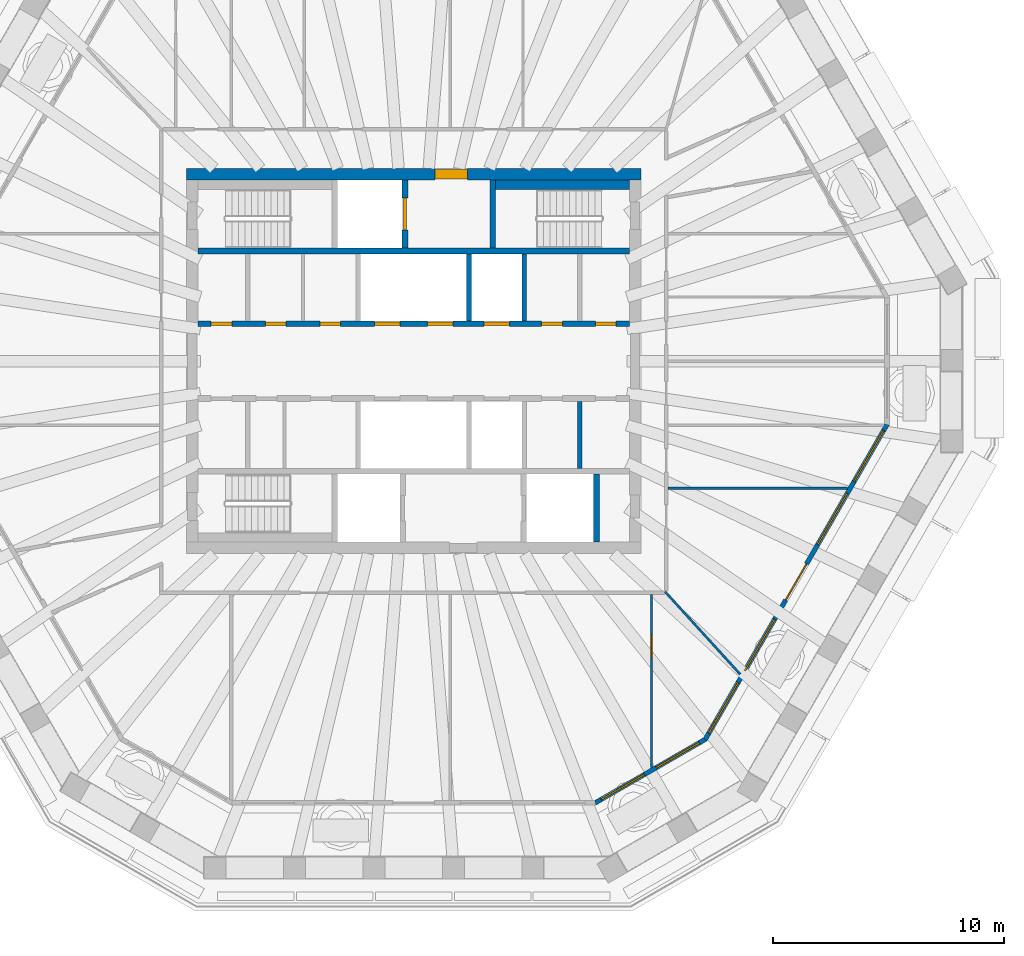
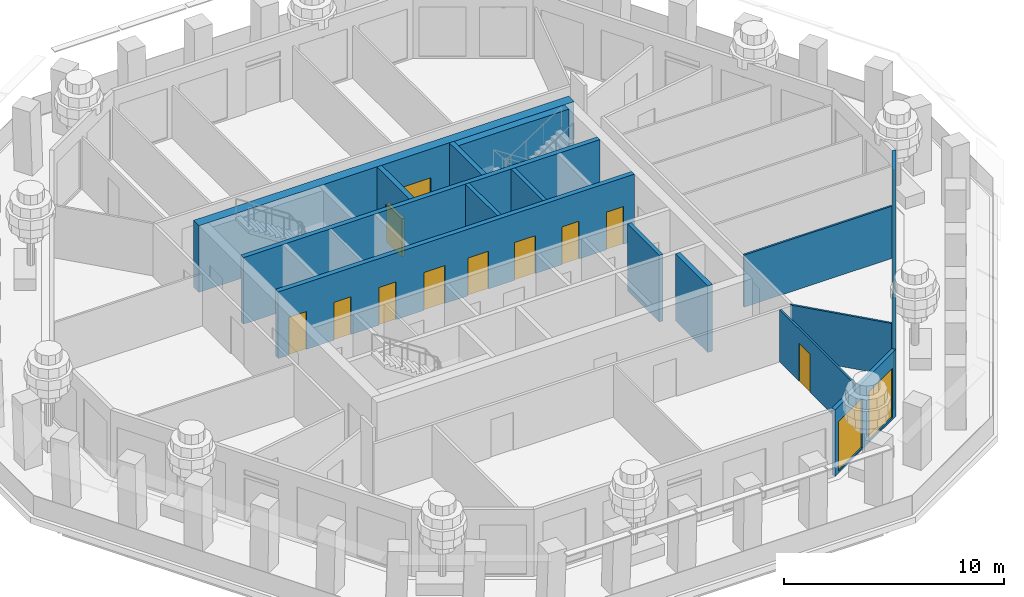
# One storey, part 5 of 13: 15 walls, 12 doors, 7 windows, 19 openings.
"""IFC4 building model written with IfcOpenShell, lengths in metres."""

from ifc_helpers import new_model, si_unit, direction, frame, frame_2d, origin, place, context, subcontext, project, spatial, polyline, rectangle, outline, extrude, material, layer, layer_set, type_object, element, fill, save


model = new_model("IFC4")

# Units and contexts
model_context = context("Model", 3, precision=1e-05, world=origin(), true_north=direction((0.0, 1.0)))
body_context = subcontext(model_context, "Body", "Model", "MODEL_VIEW")
ifc_project = project(units=[si_unit("LENGTHUNIT", "METRE"), si_unit("AREAUNIT", "SQUARE_METRE"), si_unit("VOLUMEUNIT", "CUBIC_METRE"), si_unit("PLANEANGLEUNIT", "RADIAN"), si_unit("MASSUNIT", "GRAM", prefix="KILO")], contexts=[model_context])

# Site, building, storey
site_placement = place(None, origin())
site = spatial("IfcSite", under=ifc_project, at=site_placement, CompositionType="ELEMENT")
building_placement = place(site_placement, origin())
building = spatial("IfcBuilding", under=site, at=building_placement, Name="Frailejon Research Tower", CompositionType="ELEMENT")
storey_placement = place(building_placement, frame((0.0, 0.0, 263.0)))
storey = spatial("IfcBuildingStorey", under=building, at=storey_placement, Name="L57", CompositionType="ELEMENT", Elevation=263.0)

# Wall, opening, door
ifc_material_1 = material(Name="Concrete C50/60", Category="concrete")
ifc_layer_1 = layer(ifc_material_1, 0.5)
ifc_layer_set_1 = layer_set([ifc_layer_1], Name="Core shear wall 500 C50/60")
wall_type_1 = type_object("IfcWallType", Name="Core shear wall 500 C50/60", PredefinedType="SHEAR", material=ifc_layer_set_1)
wall_1_placement = place(storey_placement, frame((-9.85009765625, 8.10009765625, 0.0), z_axis=(0.0, 0.0, 1.0), x_axis=(1.0, 0.0, 0.0)))
wall_1 = element("IfcWall", 1, at=wall_1_placement, inside=storey, type_object=wall_type_1, Name="Core shear wall", PredefinedType="SHEAR", context=body_context, shape_type="SweptSolid", body=[
    extrude(rectangle(XDim=19.7001953125, YDim=0.5, at=frame_2d((9.85009765625, 0.0))), origin(), (0.0, 0.0, 1.0), 3.699951171875),
])
opening_1_placement = place(wall_1_placement, frame((10.77490234375, 0.0, 0.0)))
opening_1 = element("IfcOpeningElement", 2, at=opening_1_placement, cuts=wall_1, Name="Opening D9", PredefinedType="OPENING", context=body_context, shape_type="SweptSolid", body=[
    extrude(rectangle(XDim=1.39990234375, YDim=2.10009765625, at=frame_2d((0.699951171875, 1.050048828125))), frame((0.0, 0.260009765625, 0.0), z_axis=(0.0, -1.0, 0.0), x_axis=(1.0, 0.0, 0.0)), (0.0, 0.0, 1.0), 0.52001953125),
])
ifc_material_2 = material(Name="Steel", Category="steel")
door_type_1 = type_object("IfcDoorType", Name="Goods lobby door", OperationType="DOUBLE_DOOR_SINGLE_SWING", PredefinedType="DOOR", material=ifc_material_2)
door_1_placement = place(opening_1_placement, origin())
door_1 = element("IfcDoor", 3, at=door_1_placement, inside=storey, type_object=door_type_1, Name="Goods lobby door", OperationType="DOUBLE_DOOR_SINGLE_SWING", OverallHeight=2.10009765625, OverallWidth=1.39990234375, PredefinedType="DOOR", context=body_context, shape_type="SweptSolid", body=[
    extrude(rectangle(XDim=1.39990234375, YDim=2.10009765625, at=frame_2d((0.699951171875, 1.050048828125))), frame((0.0, 0.199951171875, 0.0), z_axis=(0.0, -1.0, 0.0), x_axis=(1.0, 0.0, 0.0)), (0.0, 0.0, 1.0), 0.39990234375),
])
fill(opening_1, door_1)

ifc_material_3 = material(Name="Gypsum board and masonry partition", Category="masonry")
ifc_layer_2 = layer(ifc_material_3, 0.10009765625)
ifc_layer_set_2 = layer_set([ifc_layer_2], Name="Partition, gypsum on steel studs 100")
wall_type_2 = type_object("IfcWallType", Name="Partition, gypsum on steel studs 100", PredefinedType="PARTITIONING", material=ifc_layer_set_2)
wall_2_placement = place(storey_placement, frame((10.31201171875, -17.6298828125, 0.0), z_axis=(0.0, 0.0, 1.0), x_axis=(0.0, 1.0, 0.0)))
wall_2 = element("IfcWall", 4, at=wall_2_placement, inside=storey, type_object=wall_type_2, Name="T:IW:L57:026", PredefinedType="PARTITIONING", context=body_context, shape_type="SweptSolid", body=[
    extrude(rectangle(XDim=7.5048828125, YDim=0.10009765625, at=frame_2d((3.75244140625, 0.0))), origin(), (0.0, 0.0, 1.0), 2.89990234375),
])
opening_2_placement = place(wall_2_placement, frame((4.760009765625, 0.0, 0.0)))
opening_2 = element("IfcOpeningElement", 5, at=opening_2_placement, cuts=wall_2, Name="Opening D2107", PredefinedType="OPENING", context=body_context, shape_type="SweptSolid", body=[
    extrude(rectangle(XDim=1.0, YDim=2.10009765625, at=frame_2d((0.5, 1.050048828125))), frame((0.0, 0.06005859375, 0.0), z_axis=(0.0, -1.0, 0.0), x_axis=(1.0, 0.0, 0.0)), (0.0, 0.0, 1.0), 0.1201171875),
])
ifc_material_4 = material(Name="Timber door leaf", Category="wood")
door_type_2 = type_object("IfcDoorType", Name="Door single leaf, timber, steel frame 1000", OperationType="NOTDEFINED", PredefinedType="DOOR", material=ifc_material_4)
door_2_placement = place(opening_2_placement, origin())
door_2 = element("IfcDoor", 6, at=door_2_placement, inside=storey, type_object=door_type_2, Name="D2107", OperationType="SINGLE_SWING_RIGHT", OverallHeight=2.10009765625, OverallWidth=1.0, PredefinedType="DOOR", context=body_context, shape_type="SweptSolid", body=[
    extrude(rectangle(XDim=1.0, YDim=2.10009765625, at=frame_2d((0.5, 1.050048828125))), frame((0.0, 0.02490234375, 0.0), z_axis=(0.0, -1.0, 0.0), x_axis=(1.0, 0.0, 0.0)), (0.0, 0.0, 1.0), 0.050048828125),
])
fill(opening_2, door_2)

# Walls
wall_3_placement = place(storey_placement, frame((10.8994140625, -9.994384765625, 0.0), z_axis=(0.0, 0.0, 1.0), x_axis=(0.672790707388, -0.739832862241, 0.0)))
element("IfcWall", 7, at=wall_3_placement, inside=storey, type_object=wall_type_2, Name="T:IW:L57:027", PredefinedType="PARTITIONING", context=body_context, shape_type="SweptSolid", body=[
    extrude(rectangle(XDim=4.84326171875, YDim=0.10009765625, at=frame_2d((2.421630859375, 0.0))), origin(), (0.0, 0.0, 1.0), 2.89990234375),
])
wall_4_placement = place(storey_placement, frame((11.02490234375, -5.51708984375, 0.0), z_axis=(0.0, 0.0, 1.0), x_axis=(1.0, 0.0, 0.0)))
element("IfcWall", 8, at=wall_4_placement, inside=storey, type_object=wall_type_2, Name="T:IW:L57:028", PredefinedType="PARTITIONING", context=body_context, shape_type="SweptSolid", body=[
    extrude(rectangle(XDim=7.786865234375, YDim=0.10009765625, at=frame_2d((3.8935546875, 0.0))), origin(), (0.0, 0.0, 1.0), 2.89990234375),
])
ifc_material_5 = material(Name="Concrete C50/60", Category="concrete")
ifc_layer_3 = layer(ifc_material_5, 0.199951171875)
ifc_layer_set_3 = layer_set([ifc_layer_3], Name="Shaft wall 200 C50/60")
wall_type_3 = type_object("IfcWallType", Name="Shaft wall 200 C50/60", PredefinedType="SOLIDWALL", material=ifc_layer_set_3)
for number, where, z_axis, x_axis, name in (
    (9, (2.39990234375, 1.75, 0.0), (0.0, 0.0, 1.0), (0.0, 1.0, 0.0), "Shaft wall"),
    (10, (4.800048828125, 1.75, 0.0), (0.0, 0.0, 1.0), (0.0, 1.0, 0.0), "Shaft wall"),
    (11, (7.199951171875, -4.64990234375, 0.0), (0.0, 0.0, 1.0), (0.0, 1.0, 0.0), "Shaft wall"),
):
    element("IfcWall", number, at=place(storey_placement, frame(where, z_axis=z_axis, x_axis=x_axis)), inside=storey, type_object=wall_type_3, Name=name, PredefinedType="SOLIDWALL", context=body_context, shape_type="SweptSolid", body=[
        extrude(rectangle(XDim=2.89990234375, YDim=0.199951171875, at=frame_2d((1.449951171875, 0.0))), origin(), (0.0, 0.0, 1.0), 3.699951171875),
    ])

# Wall, openings, doors
ifc_material_6 = material(Name="Concrete C50/60", Category="concrete")
ifc_layer_4 = layer(ifc_material_6, 0.25)
ifc_layer_set_4 = layer_set([ifc_layer_4], Name="Shaft wall 250 C50/60")
wall_type_4 = type_object("IfcWallType", Name="Shaft wall 250 C50/60", PredefinedType="SOLIDWALL", material=ifc_layer_set_4)
wall_5_placement = place(storey_placement, frame((-9.35009765625, 1.625, 0.0), z_axis=(0.0, 0.0, 1.0), x_axis=(1.0, 0.0, 0.0)))
wall_5 = element("IfcWall", 12, at=wall_5_placement, inside=storey, type_object=wall_type_4, Name="Shaft wall", PredefinedType="SOLIDWALL", context=body_context, shape_type="SweptSolid", body=[
    extrude(rectangle(XDim=18.7001953125, YDim=0.25, at=frame_2d((9.35009765625, 0.0))), origin(), (0.0, 0.0, 1.0), 3.699951171875),
])
opening_3_placement = place(wall_5_placement, frame((7.64990234375, 0.0, 0.0)))
opening_3 = element("IfcOpeningElement", 13, at=opening_3_placement, cuts=wall_5, Name="Opening LD", PredefinedType="OPENING", context=body_context, shape_type="SweptSolid", body=[
    extrude(rectangle(XDim=1.10009765625, YDim=2.10009765625, at=frame_2d((0.550048828125, 1.050048828125))), frame((0.0, 0.135009765625, 0.0), z_axis=(0.0, -1.0, 0.0), x_axis=(1.0, 0.0, 0.0)), (0.0, 0.0, 1.0), 0.27001953125),
])
opening_4_placement = place(wall_5_placement, frame((9.949951171875, 0.0, 0.0)))
opening_4 = element("IfcOpeningElement", 14, at=opening_4_placement, cuts=wall_5, Name="Opening LD", PredefinedType="OPENING", context=body_context, shape_type="SweptSolid", body=[
    extrude(rectangle(XDim=1.10009765625, YDim=2.10009765625, at=frame_2d((0.550048828125, 1.050048828125))), frame((0.0, 0.135009765625, 0.0), z_axis=(0.0, -1.0, 0.0), x_axis=(1.0, 0.0, 0.0)), (0.0, 0.0, 1.0), 0.27001953125),
])
opening_5_placement = place(wall_5_placement, frame((12.39990234375, 0.0, 0.0)))
opening_5 = element("IfcOpeningElement", 15, at=opening_5_placement, cuts=wall_5, Name="Opening LD", PredefinedType="OPENING", context=body_context, shape_type="SweptSolid", body=[
    extrude(rectangle(XDim=1.10009765625, YDim=2.10009765625, at=frame_2d((0.550048828125, 1.050048828125))), frame((0.0, 0.135009765625, 0.0), z_axis=(0.0, -1.0, 0.0), x_axis=(1.0, 0.0, 0.0)), (0.0, 0.0, 1.0), 0.27001953125),
])
opening_6_placement = place(wall_5_placement, frame((0.574951171875, 0.0, 0.0)))
opening_6 = element("IfcOpeningElement", 16, at=opening_6_placement, cuts=wall_5, Name="Opening D8", PredefinedType="OPENING", context=body_context, shape_type="SweptSolid", body=[
    extrude(rectangle(XDim=0.89990234375, YDim=2.10009765625, at=frame_2d((0.449951171875, 1.050048828125))), frame((0.0, 0.135009765625, 0.0), z_axis=(0.0, -1.0, 0.0), x_axis=(1.0, 0.0, 0.0)), (0.0, 0.0, 1.0), 0.27001953125),
])
opening_7_placement = place(wall_5_placement, frame((2.918701171875, 0.0, 0.0)))
opening_7 = element("IfcOpeningElement", 17, at=opening_7_placement, cuts=wall_5, Name="Opening D8", PredefinedType="OPENING", context=body_context, shape_type="SweptSolid", body=[
    extrude(rectangle(XDim=0.89990234375, YDim=2.10009765625, at=frame_2d((0.449951171875, 1.050048828125))), frame((0.0, 0.135009765625, 0.0), z_axis=(0.0, -1.0, 0.0), x_axis=(1.0, 0.0, 0.0)), (0.0, 0.0, 1.0), 0.27001953125),
])
opening_8_placement = place(wall_5_placement, frame((5.28125, 0.0, 0.0)))
opening_8 = element("IfcOpeningElement", 18, at=opening_8_placement, cuts=wall_5, Name="Opening D8", PredefinedType="OPENING", context=body_context, shape_type="SweptSolid", body=[
    extrude(rectangle(XDim=0.89990234375, YDim=2.10009765625, at=frame_2d((0.449951171875, 1.050048828125))), frame((0.0, 0.135009765625, 0.0), z_axis=(0.0, -1.0, 0.0), x_axis=(1.0, 0.0, 0.0)), (0.0, 0.0, 1.0), 0.27001953125),
])
opening_9_placement = place(wall_5_placement, frame((14.89990234375, 0.0, 0.0)))
opening_9 = element("IfcOpeningElement", 19, at=opening_9_placement, cuts=wall_5, Name="Opening D8", PredefinedType="OPENING", context=body_context, shape_type="SweptSolid", body=[
    extrude(rectangle(XDim=0.89990234375, YDim=2.10009765625, at=frame_2d((0.449951171875, 1.050048828125))), frame((0.0, 0.135009765625, 0.0), z_axis=(0.0, -1.0, 0.0), x_axis=(1.0, 0.0, 0.0)), (0.0, 0.0, 1.0), 0.27001953125),
])
opening_10_placement = place(wall_5_placement, frame((17.22509765625, 0.0, 0.0)))
opening_10 = element("IfcOpeningElement", 20, at=opening_10_placement, cuts=wall_5, Name="Opening D8", PredefinedType="OPENING", context=body_context, shape_type="SweptSolid", body=[
    extrude(rectangle(XDim=0.89990234375, YDim=2.10009765625, at=frame_2d((0.449951171875, 1.050048828125))), frame((0.0, 0.135009765625, 0.0), z_axis=(0.0, -1.0, 0.0), x_axis=(1.0, 0.0, 0.0)), (0.0, 0.0, 1.0), 0.27001953125),
])
ifc_material_7 = material(Name="Steel", Category="steel")
door_type_3 = type_object("IfcDoorType", Name="Core room door", OperationType="SINGLE_SWING_LEFT", PredefinedType="DOOR", material=ifc_material_7)
door_3_placement = place(opening_6_placement, origin())
door_3 = element("IfcDoor", 21, at=door_3_placement, inside=storey, type_object=door_type_3, Name="Room door", OperationType="SINGLE_SWING_RIGHT", OverallHeight=2.10009765625, OverallWidth=0.89990234375, PredefinedType="DOOR", context=body_context, shape_type="SweptSolid", body=[
    extrude(rectangle(XDim=0.89990234375, YDim=2.10009765625, at=frame_2d((0.449951171875, 1.050048828125))), frame((0.0, 0.074951171875, 0.0), z_axis=(0.0, -1.0, 0.0), x_axis=(1.0, 0.0, 0.0)), (0.0, 0.0, 1.0), 0.14990234375),
])
fill(opening_6, door_3)
door_4_placement = place(opening_7_placement, origin())
door_4 = element("IfcDoor", 22, at=door_4_placement, inside=storey, type_object=door_type_3, Name="Room door", OperationType="SINGLE_SWING_LEFT", OverallHeight=2.10009765625, OverallWidth=0.89990234375, PredefinedType="DOOR", context=body_context, shape_type="SweptSolid", body=[
    extrude(rectangle(XDim=0.89990234375, YDim=2.10009765625, at=frame_2d((0.449951171875, 1.050048828125))), frame((0.0, 0.074951171875, 0.0), z_axis=(0.0, -1.0, 0.0), x_axis=(1.0, 0.0, 0.0)), (0.0, 0.0, 1.0), 0.14990234375),
])
fill(opening_7, door_4)
door_5_placement = place(opening_8_placement, origin())
door_5 = element("IfcDoor", 23, at=door_5_placement, inside=storey, type_object=door_type_3, Name="Room door", OperationType="SINGLE_SWING_RIGHT", OverallHeight=2.10009765625, OverallWidth=0.89990234375, PredefinedType="DOOR", context=body_context, shape_type="SweptSolid", body=[
    extrude(rectangle(XDim=0.89990234375, YDim=2.10009765625, at=frame_2d((0.449951171875, 1.050048828125))), frame((0.0, 0.074951171875, 0.0), z_axis=(0.0, -1.0, 0.0), x_axis=(1.0, 0.0, 0.0)), (0.0, 0.0, 1.0), 0.14990234375),
])
fill(opening_8, door_5)
door_6_placement = place(opening_9_placement, origin())
door_6 = element("IfcDoor", 24, at=door_6_placement, inside=storey, type_object=door_type_3, Name="Room door", OperationType="SINGLE_SWING_LEFT", OverallHeight=2.10009765625, OverallWidth=0.89990234375, PredefinedType="DOOR", context=body_context, shape_type="SweptSolid", body=[
    extrude(rectangle(XDim=0.89990234375, YDim=2.10009765625, at=frame_2d((0.449951171875, 1.050048828125))), frame((0.0, 0.074951171875, 0.0), z_axis=(0.0, -1.0, 0.0), x_axis=(1.0, 0.0, 0.0)), (0.0, 0.0, 1.0), 0.14990234375),
])
fill(opening_9, door_6)
door_7_placement = place(opening_10_placement, origin())
door_7 = element("IfcDoor", 25, at=door_7_placement, inside=storey, type_object=door_type_3, Name="Room door", OperationType="SINGLE_SWING_RIGHT", OverallHeight=2.10009765625, OverallWidth=0.89990234375, PredefinedType="DOOR", context=body_context, shape_type="SweptSolid", body=[
    extrude(rectangle(XDim=0.89990234375, YDim=2.10009765625, at=frame_2d((0.449951171875, 1.050048828125))), frame((0.0, 0.074951171875, 0.0), z_axis=(0.0, -1.0, 0.0), x_axis=(1.0, 0.0, 0.0)), (0.0, 0.0, 1.0), 0.14990234375),
])
fill(opening_10, door_7)
ifc_material_8 = material(Name="Steel", Category="steel")
door_type_4 = type_object("IfcDoorType", Name="Lift landing door", OperationType="DOUBLE_DOOR_SLIDING", PredefinedType="DOOR", material=ifc_material_8)
door_8_placement = place(opening_3_placement, origin())
door_8 = element("IfcDoor", 26, at=door_8_placement, inside=storey, type_object=door_type_4, Name="Lift landing door", OperationType="DOUBLE_DOOR_SLIDING", OverallHeight=2.10009765625, OverallWidth=1.10009765625, PredefinedType="DOOR", context=body_context, shape_type="SweptSolid", body=[
    extrude(rectangle(XDim=1.10009765625, YDim=2.10009765625, at=frame_2d((0.550048828125, 1.050048828125))), frame((0.0, 0.074951171875, 0.0), z_axis=(0.0, -1.0, 0.0), x_axis=(1.0, 0.0, 0.0)), (0.0, 0.0, 1.0), 0.14990234375),
])
fill(opening_3, door_8)
door_9_placement = place(opening_4_placement, origin())
door_9 = element("IfcDoor", 27, at=door_9_placement, inside=storey, type_object=door_type_4, Name="Lift landing door", OperationType="DOUBLE_DOOR_SLIDING", OverallHeight=2.10009765625, OverallWidth=1.10009765625, PredefinedType="DOOR", context=body_context, shape_type="SweptSolid", body=[
    extrude(rectangle(XDim=1.10009765625, YDim=2.10009765625, at=frame_2d((0.550048828125, 1.050048828125))), frame((0.0, 0.074951171875, 0.0), z_axis=(0.0, -1.0, 0.0), x_axis=(1.0, 0.0, 0.0)), (0.0, 0.0, 1.0), 0.14990234375),
])
fill(opening_4, door_9)
door_10_placement = place(opening_5_placement, origin())
door_10 = element("IfcDoor", 28, at=door_10_placement, inside=storey, type_object=door_type_4, Name="Lift landing door", OperationType="DOUBLE_DOOR_SLIDING", OverallHeight=2.10009765625, OverallWidth=1.10009765625, PredefinedType="DOOR", context=body_context, shape_type="SweptSolid", body=[
    extrude(rectangle(XDim=1.10009765625, YDim=2.10009765625, at=frame_2d((0.550048828125, 1.050048828125))), frame((0.0, 0.074951171875, 0.0), z_axis=(0.0, -1.0, 0.0), x_axis=(1.0, 0.0, 0.0)), (0.0, 0.0, 1.0), 0.14990234375),
])
fill(opening_5, door_10)

# Wall
wall_6_placement = place(storey_placement, frame((-9.35009765625, 4.77490234375, 0.0), z_axis=(0.0, 0.0, 1.0), x_axis=(1.0, 0.0, 0.0)))
element("IfcWall", 29, at=wall_6_placement, inside=storey, type_object=wall_type_4, Name="Shaft wall", PredefinedType="SOLIDWALL", context=body_context, shape_type="SweptSolid", body=[
    extrude(rectangle(XDim=18.7001953125, YDim=0.25, at=frame_2d((9.35009765625, 0.0))), origin(), (0.0, 0.0, 1.0), 3.699951171875),
])

# Wall, opening, door
wall_7_placement = place(storey_placement, frame((-0.375, 4.89990234375, 0.0), z_axis=(0.0, 0.0, 1.0), x_axis=(0.0, 1.0, 0.0)))
wall_7 = element("IfcWall", 30, at=wall_7_placement, inside=storey, type_object=wall_type_4, Name="Shaft wall", PredefinedType="SOLIDWALL", context=body_context, shape_type="SweptSolid", body=[
    extrude(rectangle(XDim=2.9501953125, YDim=0.25, at=frame_2d((1.47509765625, 0.0))), origin(), (0.0, 0.0, 1.0), 3.699951171875),
])
opening_11_placement = place(wall_7_placement, frame((0.77490234375, 0.0, 0.0)))
opening_11 = element("IfcOpeningElement", 31, at=opening_11_placement, cuts=wall_7, Name="Opening LD2", PredefinedType="OPENING", context=body_context, shape_type="SweptSolid", body=[
    extrude(rectangle(XDim=1.39990234375, YDim=2.10009765625, at=frame_2d((0.699951171875, 1.050048828125))), frame((0.0, 0.135009765625, 0.0), z_axis=(0.0, -1.0, 0.0), x_axis=(1.0, 0.0, 0.0)), (0.0, 0.0, 1.0), 0.27001953125),
])
ifc_material_9 = material(Name="Stainless steel", Category="steel")
door_type_5 = type_object("IfcDoorType", Name="Goods landing door", OperationType="DOUBLE_DOOR_SLIDING", PredefinedType="DOOR", material=ifc_material_9)
door_11_placement = place(opening_11_placement, origin())
door_11 = element("IfcDoor", 32, at=door_11_placement, inside=storey, type_object=door_type_5, Name="Lift landing door", OperationType="DOUBLE_DOOR_SLIDING", OverallHeight=2.10009765625, OverallWidth=1.39990234375, PredefinedType="DOOR", context=body_context, shape_type="SweptSolid", body=[
    extrude(rectangle(XDim=1.39990234375, YDim=2.10009765625, at=frame_2d((0.699951171875, 1.050048828125))), frame((0.0, 0.074951171875, 0.0), z_axis=(0.0, -1.0, 0.0), x_axis=(1.0, 0.0, 0.0)), (0.0, 0.0, 1.0), 0.14990234375),
])
fill(opening_11, door_11)

# Walls
for number, where, z_axis, x_axis, name in (
    (33, (3.425048828125, 4.89990234375, 0.0), (0.0, 0.0, 1.0), (0.0, 1.0, 0.0), "Shaft wall"),
    (34, (7.925048828125, -7.85009765625, 0.0), (0.0, 0.0, 1.0), (0.0, 1.0, 0.0), "Shaft wall"),
):
    element("IfcWall", number, at=place(storey_placement, frame(where, z_axis=z_axis, x_axis=x_axis)), inside=storey, type_object=wall_type_4, Name=name, PredefinedType="SOLIDWALL", context=body_context, shape_type="SweptSolid", body=[
        extrude(rectangle(XDim=2.9501953125, YDim=0.25, at=frame_2d((1.47509765625, 0.0))), origin(), (0.0, 0.0, 1.0), 3.699951171875),
    ])
ifc_material_10 = material(Name="Concrete C50/60", Category="concrete")
ifc_layer_5 = layer(ifc_material_10, 0.39990234375)
ifc_layer_set_5 = layer_set([ifc_layer_5], Name="Shaft wall 400 C50/60")
wall_type_5 = type_object("IfcWallType", Name="Shaft wall 400 C50/60", PredefinedType="SOLIDWALL", material=ifc_layer_set_5)
wall_8_placement = place(storey_placement, frame((3.550048828125, 7.64990234375, 0.0), z_axis=(0.0, 0.0, 1.0), x_axis=(1.0, 0.0, 0.0)))
element("IfcWall", 35, at=wall_8_placement, inside=storey, type_object=wall_type_5, Name="Shaft wall", PredefinedType="SOLIDWALL", context=body_context, shape_type="SweptSolid", body=[
    extrude(rectangle(XDim=5.800048828125, YDim=0.39990234375, at=frame_2d((2.89990234375, 0.0))), origin(), (0.0, 0.0, 1.0), 3.699951171875),
])

# Wall, openings, windows
ifc_material_11 = material(Name="Concrete C40/50 precast window wall panel", Category="concrete")
ifc_layer_6 = layer(ifc_material_11, 0.199951171875)
ifc_layer_set_6 = layer_set([ifc_layer_6], Name="Window wall 200")
wall_type_6 = type_object("IfcWallType", Name="Window wall 200", PredefinedType="SOLIDWALL", material=ifc_layer_set_6)
wall_9_placement = place(storey_placement, frame((7.87890625, -19.14990234375, 0.0), z_axis=(0.0, 0.0, 1.0), x_axis=(0.866026017613, 0.499998936816, 0.0)))
wall_9 = element("IfcWall", 36, at=wall_9_placement, inside=storey, type_object=wall_type_6, Name="Exterior wall L57", PredefinedType="SOLIDWALL", context=body_context, shape_type="SweptSolid", body=[
    extrude(outline(polyline([(-0.02685546875, -0.10009765625), (1.08447265625, -0.10009765625), (2.196044921875, -0.10009765625), (3.307373046875, -0.10009765625), (4.4189453125, -0.10009765625), (5.5302734375, -0.10009765625), (5.4765625, 0.10009765625), (4.38671875, 0.10009765625), (3.296630859375, 0.10009765625), (2.206787109375, 0.10009765625), (1.11669921875, 0.10009765625), (0.02685546875, 0.10009765625), (-0.02685546875, -0.10009765625)])), origin(), (0.0, 0.0, 1.0), 3.699951171875),
])
opening_12_placement = place(wall_9_placement, frame((0.30078125, 0.0, 0.10009765625)))
opening_12 = element("IfcOpeningElement", 37, at=opening_12_placement, cuts=wall_9, Name="Opening W22", PredefinedType="OPENING", context=body_context, shape_type="SweptSolid", body=[
    extrude(rectangle(XDim=2.14990234375, YDim=2.75, at=frame_2d((1.074951171875, 1.375))), frame((0.0, 0.10986328125, 0.0), z_axis=(0.0, -1.0, 0.0), x_axis=(1.0, 0.0, 0.0)), (0.0, 0.0, 1.0), 0.219970703125),
])
opening_13_placement = place(wall_9_placement, frame((3.052490234375, 0.0, 0.10009765625)))
opening_13 = element("IfcOpeningElement", 38, at=opening_13_placement, cuts=wall_9, Name="Opening W22", PredefinedType="OPENING", context=body_context, shape_type="SweptSolid", body=[
    extrude(rectangle(XDim=2.14990234375, YDim=2.75, at=frame_2d((1.074951171875, 1.375))), frame((0.0, 0.10986328125, 0.0), z_axis=(0.0, -1.0, 0.0), x_axis=(1.0, 0.0, 0.0)), (0.0, 0.0, 1.0), 0.219970703125),
])
ifc_material_12 = material(Name="Aluminium framed double glazing", Category="aluminium")
window_type_1 = type_object("IfcWindowType", Name="Window 2150x2750", PartitioningType="SINGLE_PANEL", PredefinedType="WINDOW", material=ifc_material_12)
window_1_placement = place(opening_12_placement, origin())
window_1 = element("IfcWindow", 39, at=window_1_placement, inside=storey, type_object=window_type_1, Name="Window L57", OverallHeight=2.75, OverallWidth=2.14990234375, PartitioningType="SINGLE_PANEL", PredefinedType="WINDOW", context=body_context, shape_type="SweptSolid", body=[
    extrude(rectangle(XDim=2.14990234375, YDim=2.75, at=frame_2d((1.074951171875, 1.375))), frame((0.0, 0.030029296875, 0.0), z_axis=(0.0, -1.0, 0.0), x_axis=(1.0, 0.0, 0.0)), (0.0, 0.0, 1.0), 0.06005859375),
])
fill(opening_12, window_1)
window_2_placement = place(opening_13_placement, origin())
window_2 = element("IfcWindow", 40, at=window_2_placement, inside=storey, type_object=window_type_1, Name="Window L57", OverallHeight=2.75, OverallWidth=2.14990234375, PartitioningType="SINGLE_PANEL", PredefinedType="WINDOW", context=body_context, shape_type="SweptSolid", body=[
    extrude(rectangle(XDim=2.14990234375, YDim=2.75, at=frame_2d((1.074951171875, 1.375))), frame((0.0, 0.030029296875, 0.0), z_axis=(0.0, -1.0, 0.0), x_axis=(1.0, 0.0, 0.0)), (0.0, 0.0, 1.0), 0.06005859375),
])
fill(opening_13, window_2)

# Wall, openings, door, windows
wall_10_placement = place(storey_placement, frame((12.64501953125, -16.398193359375, 0.0), z_axis=(0.0, 0.0, 1.0), x_axis=(0.499993368965, 0.86602923218, 0.0)))
wall_10 = element("IfcWall", 41, at=wall_10_placement, inside=storey, type_object=wall_type_6, Name="Exterior wall L57", PredefinedType="SOLIDWALL", context=body_context, shape_type="SweptSolid", body=[
    extrude(outline(polyline([(-0.02685546875, -0.10009765625), (1.02734375, -0.10009765625), (2.081298828125, -0.10009765625), (3.135498046875, -0.10009765625), (4.189453125, -0.10009765625), (5.24365234375, -0.10009765625), (6.297607421875, -0.10009765625), (7.351806640625, -0.10009765625), (8.40576171875, -0.10009765625), (9.4599609375, -0.10009765625), (10.513916015625, -0.10009765625), (11.568115234375, -0.10009765625), (12.6220703125, -0.10009765625), (13.67626953125, -0.10009765625), (14.730224609375, -0.10009765625), (15.784423828125, -0.10009765625), (15.730712890625, 0.10009765625), (14.683837890625, 0.10009765625), (13.636962890625, 0.10009765625), (12.58984375, 0.10009765625), (11.54296875, 0.10009765625), (10.49609375, 0.10009765625), (9.44921875, 0.10009765625), (8.40234375, 0.10009765625), (7.355224609375, 0.10009765625), (6.308349609375, 0.10009765625), (5.261474609375, 0.10009765625), (4.214599609375, 0.10009765625), (3.167724609375, 0.10009765625), (2.12060546875, 0.10009765625), (1.07373046875, 0.10009765625), (0.02685546875, 0.10009765625), (-0.02685546875, -0.10009765625)])), origin(), (0.0, 0.0, 1.0), 3.699951171875),
])
opening_14_placement = place(wall_10_placement, frame((0.30078125, 0.0, 0.10009765625)))
opening_14 = element("IfcOpeningElement", 42, at=opening_14_placement, cuts=wall_10, Name="Opening W25", PredefinedType="OPENING", context=body_context, shape_type="SweptSolid", body=[
    extrude(rectangle(XDim=2.550048828125, YDim=2.75, at=frame_2d((1.27490234375, 1.375))), frame((0.0, 0.10986328125, 0.0), z_axis=(0.0, -1.0, 0.0), x_axis=(1.0, 0.0, 0.0)), (0.0, 0.0, 1.0), 0.219970703125),
])
opening_15_placement = place(wall_10_placement, frame((3.452392578125, 0.0, 0.10009765625)))
opening_15 = element("IfcOpeningElement", 43, at=opening_15_placement, cuts=wall_10, Name="Opening W25", PredefinedType="OPENING", context=body_context, shape_type="SweptSolid", body=[
    extrude(rectangle(XDim=2.550048828125, YDim=2.75, at=frame_2d((1.27490234375, 1.375))), frame((0.0, 0.10986328125, 0.0), z_axis=(0.0, -1.0, 0.0), x_axis=(1.0, 0.0, 0.0)), (0.0, 0.0, 1.0), 0.219970703125),
])
opening_16_placement = place(wall_10_placement, frame((6.97900390625, 0.0, 0.0)))
opening_16 = element("IfcOpeningElement", 44, at=opening_16_placement, cuts=wall_10, Name="Opening LG57-6", PredefinedType="OPENING", context=body_context, shape_type="SweptSolid", body=[
    extrude(rectangle(XDim=1.800048828125, YDim=2.39990234375, at=frame_2d((0.89990234375, 1.199951171875))), frame((0.0, 0.10986328125, 0.0), z_axis=(0.0, -1.0, 0.0), x_axis=(1.0, 0.0, 0.0)), (0.0, 0.0, 1.0), 0.219970703125),
])
opening_17_placement = place(wall_10_placement, frame((6.97900390625, 0.0, 2.550048828125)))
opening_17 = element("IfcOpeningElement", 45, at=opening_17_placement, cuts=wall_10, Name="Opening W24", PredefinedType="OPENING", context=body_context, shape_type="SweptSolid", body=[
    extrude(rectangle(XDim=1.800048828125, YDim=0.300048828125, at=frame_2d((0.89990234375, 0.14990234375))), frame((0.0, 0.10986328125, 0.0), z_axis=(0.0, -1.0, 0.0), x_axis=(1.0, 0.0, 0.0)), (0.0, 0.0, 1.0), 0.219970703125),
])
opening_18_placement = place(wall_10_placement, frame((9.75537109375, 0.0, 0.10009765625)))
opening_18 = element("IfcOpeningElement", 46, at=opening_18_placement, cuts=wall_10, Name="Opening W25", PredefinedType="OPENING", context=body_context, shape_type="SweptSolid", body=[
    extrude(rectangle(XDim=2.550048828125, YDim=2.75, at=frame_2d((1.27490234375, 1.375))), frame((0.0, 0.10986328125, 0.0), z_axis=(0.0, -1.0, 0.0), x_axis=(1.0, 0.0, 0.0)), (0.0, 0.0, 1.0), 0.219970703125),
])
opening_19_placement = place(wall_10_placement, frame((12.906982421875, 0.0, 0.10009765625)))
opening_19 = element("IfcOpeningElement", 47, at=opening_19_placement, cuts=wall_10, Name="Opening W25", PredefinedType="OPENING", context=body_context, shape_type="SweptSolid", body=[
    extrude(rectangle(XDim=2.550048828125, YDim=2.75, at=frame_2d((1.27490234375, 1.375))), frame((0.0, 0.10986328125, 0.0), z_axis=(0.0, -1.0, 0.0), x_axis=(1.0, 0.0, 0.0)), (0.0, 0.0, 1.0), 0.219970703125),
])
ifc_material_13 = material(Name="Aluminium framed glazed door leaf", Category="aluminium")
door_type_6 = type_object("IfcDoorType", Name="Loggia door 1800x2400", OperationType="DOUBLE_DOOR_SINGLE_SWING", PredefinedType="DOOR", material=ifc_material_13)
door_12_placement = place(opening_16_placement, origin())
door_12 = element("IfcDoor", 48, at=door_12_placement, inside=storey, type_object=door_type_6, Name="Door LG57-6", OperationType="DOUBLE_DOOR_SINGLE_SWING", OverallHeight=2.39990234375, OverallWidth=1.800048828125, PredefinedType="DOOR", context=body_context, shape_type="SweptSolid", body=[
    extrude(rectangle(XDim=1.800048828125, YDim=2.39990234375, at=frame_2d((0.89990234375, 1.199951171875))), frame((0.0, 0.02490234375, 0.0), z_axis=(0.0, -1.0, 0.0), x_axis=(1.0, 0.0, 0.0)), (0.0, 0.0, 1.0), 0.050048828125),
])
fill(opening_16, door_12)
ifc_material_14 = material(Name="Aluminium framed double glazing", Category="aluminium")
window_type_2 = type_object("IfcWindowType", Name="Window 1800x300", PartitioningType="SINGLE_PANEL", PredefinedType="WINDOW", material=ifc_material_14)
window_3_placement = place(opening_17_placement, origin())
window_3 = element("IfcWindow", 49, at=window_3_placement, inside=storey, type_object=window_type_2, Name="Window L57", OverallHeight=0.300048828125, OverallWidth=1.800048828125, PartitioningType="SINGLE_PANEL", PredefinedType="WINDOW", context=body_context, shape_type="SweptSolid", body=[
    extrude(rectangle(XDim=1.800048828125, YDim=0.300048828125, at=frame_2d((0.89990234375, 0.14990234375))), frame((0.0, 0.030029296875, 0.0), z_axis=(0.0, -1.0, 0.0), x_axis=(1.0, 0.0, 0.0)), (0.0, 0.0, 1.0), 0.06005859375),
])
fill(opening_17, window_3)
ifc_material_15 = material(Name="Aluminium framed double glazing", Category="aluminium")
window_type_3 = type_object("IfcWindowType", Name="Window 2550x2750", PartitioningType="SINGLE_PANEL", PredefinedType="WINDOW", material=ifc_material_15)
window_4_placement = place(opening_14_placement, origin())
window_4 = element("IfcWindow", 50, at=window_4_placement, inside=storey, type_object=window_type_3, Name="Window L57", OverallHeight=2.75, OverallWidth=2.550048828125, PartitioningType="SINGLE_PANEL", PredefinedType="WINDOW", context=body_context, shape_type="SweptSolid", body=[
    extrude(rectangle(XDim=2.550048828125, YDim=2.75, at=frame_2d((1.27490234375, 1.375))), frame((0.0, 0.030029296875, 0.0), z_axis=(0.0, -1.0, 0.0), x_axis=(1.0, 0.0, 0.0)), (0.0, 0.0, 1.0), 0.06005859375),
])
fill(opening_14, window_4)
window_5_placement = place(opening_15_placement, origin())
window_5 = element("IfcWindow", 51, at=window_5_placement, inside=storey, type_object=window_type_3, Name="Window L57", OverallHeight=2.75, OverallWidth=2.550048828125, PartitioningType="SINGLE_PANEL", PredefinedType="WINDOW", context=body_context, shape_type="SweptSolid", body=[
    extrude(rectangle(XDim=2.550048828125, YDim=2.75, at=frame_2d((1.27490234375, 1.375))), frame((0.0, 0.030029296875, 0.0), z_axis=(0.0, -1.0, 0.0), x_axis=(1.0, 0.0, 0.0)), (0.0, 0.0, 1.0), 0.06005859375),
])
fill(opening_15, window_5)
window_6_placement = place(opening_18_placement, origin())
window_6 = element("IfcWindow", 52, at=window_6_placement, inside=storey, type_object=window_type_3, Name="Window L57", OverallHeight=2.75, OverallWidth=2.550048828125, PartitioningType="SINGLE_PANEL", PredefinedType="WINDOW", context=body_context, shape_type="SweptSolid", body=[
    extrude(rectangle(XDim=2.550048828125, YDim=2.75, at=frame_2d((1.27490234375, 1.375))), frame((0.0, 0.030029296875, 0.0), z_axis=(0.0, -1.0, 0.0), x_axis=(1.0, 0.0, 0.0)), (0.0, 0.0, 1.0), 0.06005859375),
])
fill(opening_18, window_6)
window_7_placement = place(opening_19_placement, origin())
window_7 = element("IfcWindow", 53, at=window_7_placement, inside=storey, type_object=window_type_3, Name="Window L57", OverallHeight=2.75, OverallWidth=2.550048828125, PartitioningType="SINGLE_PANEL", PredefinedType="WINDOW", context=body_context, shape_type="SweptSolid", body=[
    extrude(rectangle(XDim=2.550048828125, YDim=2.75, at=frame_2d((1.27490234375, 1.375))), frame((0.0, 0.030029296875, 0.0), z_axis=(0.0, -1.0, 0.0), x_axis=(1.0, 0.0, 0.0)), (0.0, 0.0, 1.0), 0.06005859375),
])
fill(opening_19, window_7)

save(model, "model.ifc")
